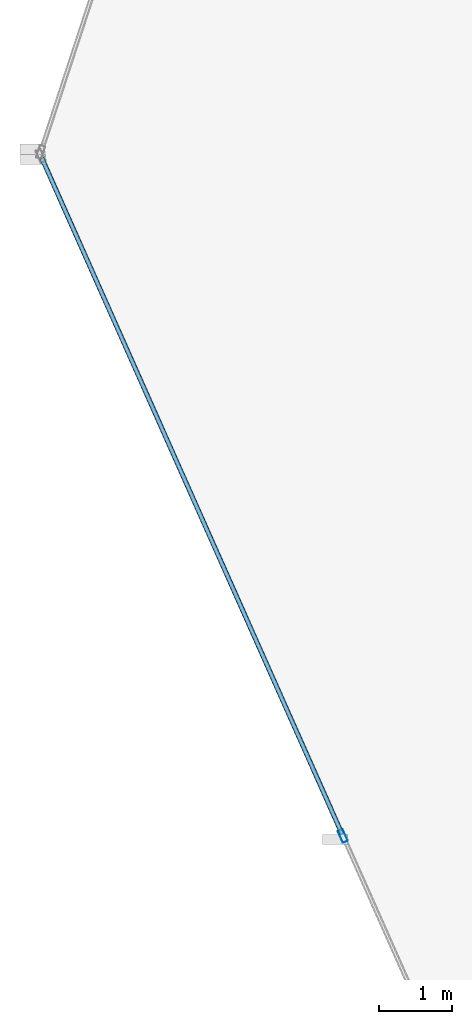
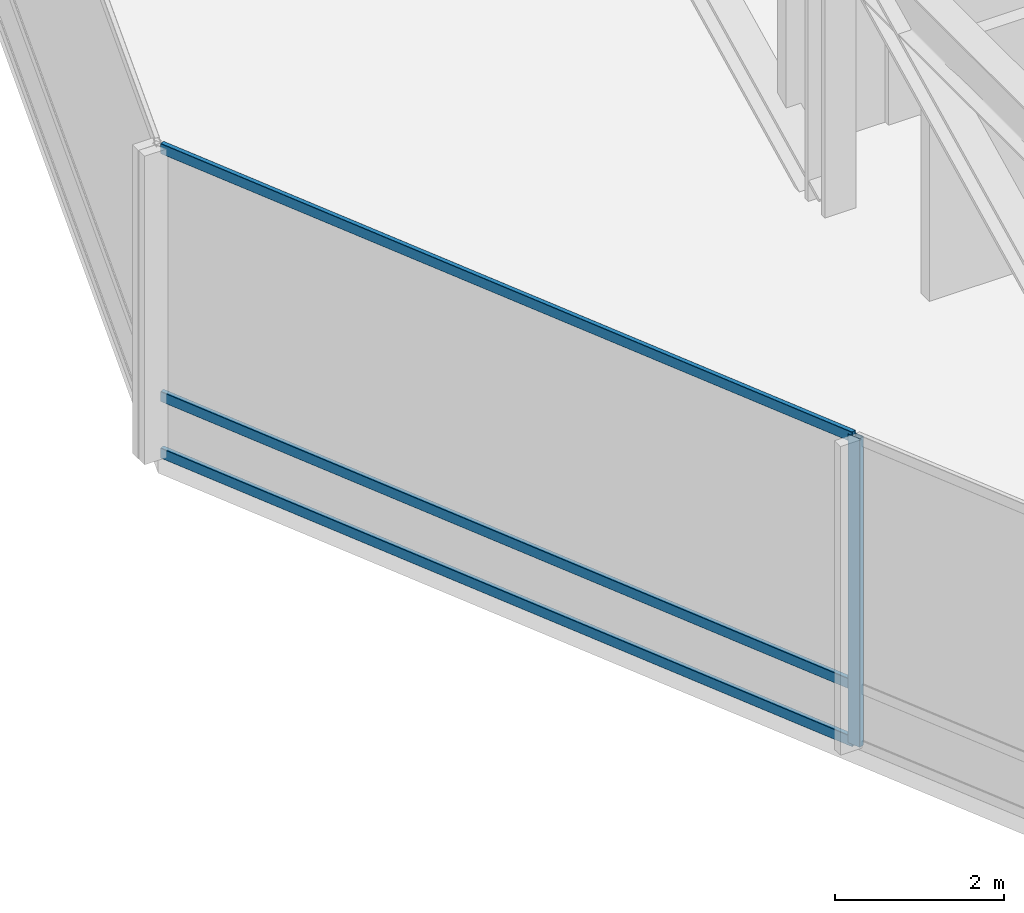
# One storey, part 5 of 42: 4 members, 1 element without a shape of its own.
"""IFC4 building model written with IfcOpenShell, lengths in metres."""

from ifc_helpers import new_model, si_unit, direction, frame, origin, origin_2d, place, context, subcontext, project, spatial, hollow_rectangle, extrude, material, layer, layer_set, material_profile, profile_set, type_object, element, aggregate, save


model = new_model("IFC4")

# Units and contexts
model_context = context("Model", 3, precision=1e-05, world=origin(), true_north=direction((0.0, 1.0)))
body_context = subcontext(model_context, "Body", "Model", "MODEL_VIEW")
ifc_project = project(units=[si_unit("LENGTHUNIT", "METRE"), si_unit("AREAUNIT", "SQUARE_METRE"), si_unit("VOLUMEUNIT", "CUBIC_METRE"), si_unit("PLANEANGLEUNIT", "RADIAN"), si_unit("MASSUNIT", "GRAM", prefix="KILO")], contexts=[model_context])

# Site, building, storey
site_placement = place(None, origin())
site = spatial("IfcSite", under=ifc_project, at=site_placement, CompositionType="ELEMENT")
building_placement = place(site_placement, origin())
building = spatial("IfcBuilding", under=site, at=building_placement, Name="Solvaryn Broadcast Tower", CompositionType="ELEMENT")
storey_placement = place(building_placement, frame((0.0, 0.0, 100.199951171875)))
storey = spatial("IfcBuildingStorey", under=building, at=storey_placement, Name="L24", CompositionType="ELEMENT", Elevation=100.199951171875)

# Curtain wall, members
ifc_material_1 = material(Name="Aluminium and Terracotta Unitised Curtain Wall", Category="masonry")
ifc_layer = layer(ifc_material_1, 0.199951171875)
ifc_layer_set = layer_set([ifc_layer], Name="CW-SYS2-LOWMID")
curtain_wall_type = type_object("IfcCurtainWallType", Name="CW-SYS2-LOWMID", PredefinedType="NOTDEFINED", material=ifc_layer_set)
curtain_wall_placement = place(storey_placement, origin())
curtain_wall = element("IfcCurtainWall", 1, at=curtain_wall_placement, inside=storey, type_object=curtain_wall_type, Name="L24 Curtain Wall DR2", PredefinedType="NOTDEFINED")
ifc_material_2 = material(Name="Anodised Aluminium 6063-T6", Category="aluminium")
ifc_material_profile_1 = material_profile(ifc_material_2, hollow_rectangle(XDim=0.074951171875, YDim=0.179931640625, WallThickness=0.00390625, InnerFilletRadius=0.00390625, OuterFilletRadius=0.008056640625, at=origin_2d()))
ifc_profile_set_1 = profile_set([ifc_material_profile_1], Name="Anodised Aluminium 6063-T6")
member_type_1 = type_object("IfcMemberType", Name="CW-MUL-180", PredefinedType="MULLION", material=ifc_profile_set_1)
member_1_placement = place(storey_placement, frame((3.69140625, 17.20361328125, 0.0), z_axis=(0.0, 0.0, 1.0), x_axis=(0.913918257271, 0.405898286554, 0.0)))
member_1 = element("IfcMember", 2, at=member_1_placement, type_object=member_type_1, Name="CWS2 mullion 2", PredefinedType="MULLION", context=body_context, shape_type="SweptSolid", body=[
    extrude(hollow_rectangle(XDim=0.074951171875, YDim=0.179931640625, WallThickness=0.00390625, InnerFilletRadius=0.00390625, OuterFilletRadius=0.008056640625, at=origin_2d()), origin(), (0.0, 0.0, 1.0), 4.469970703125),
])
ifc_material_3 = material(Name="Anodised Aluminium 6063-T6", Category="aluminium")
ifc_material_profile_2 = material_profile(ifc_material_3, hollow_rectangle(XDim=0.06494140625, YDim=0.14990234375, WallThickness=0.00390625, InnerFilletRadius=0.00390625, OuterFilletRadius=0.008056640625, at=origin_2d()))
ifc_profile_set_2 = profile_set([ifc_material_profile_2], Name="Anodised Aluminium 6063-T6")
member_type_2 = type_object("IfcMemberType", Name="CW-TRN-150", PredefinedType="USERDEFINED", material=ifc_profile_set_2)
member_2_placement = place(storey_placement, frame((-0.439697265625, 26.505126953125, 0.030029296875), z_axis=(0.40591523062, -0.913910731719, 0.0), x_axis=(0.913910731719, 0.40591523062, 0.0)))
member_2 = element("IfcMember", 3, at=member_2_placement, type_object=member_type_2, Name="CWS2 transom 1.1", ObjectType="TRANSOM", PredefinedType="USERDEFINED", context=body_context, shape_type="SweptSolid", body=[
    extrude(hollow_rectangle(XDim=0.06494140625, YDim=0.14990234375, WallThickness=0.00390625, InnerFilletRadius=0.00390625, OuterFilletRadius=0.008056640625, at=origin_2d()), origin(), (0.0, 0.0, 1.0), 10.147705078125),
])
member_3_placement = place(storey_placement, frame((-0.439697265625, 26.505126953125, 0.85009765625), z_axis=(0.40591523062, -0.913910731719, 0.0), x_axis=(0.913910731719, 0.40591523062, 0.0)))
member_3 = element("IfcMember", 4, at=member_3_placement, type_object=member_type_2, Name="CWS2 transom 1.2", ObjectType="TRANSOM", PredefinedType="USERDEFINED", context=body_context, shape_type="SweptSolid", body=[
    extrude(hollow_rectangle(XDim=0.06494140625, YDim=0.14990234375, WallThickness=0.00390625, InnerFilletRadius=0.00390625, OuterFilletRadius=0.008056640625, at=origin_2d()), origin(), (0.0, 0.0, 1.0), 10.147705078125),
])
member_4_placement = place(storey_placement, frame((-0.439697265625, 26.505126953125, 4.43994140625), z_axis=(0.40591523062, -0.913910731719, 0.0), x_axis=(0.913910731719, 0.40591523062, 0.0)))
member_4 = element("IfcMember", 5, at=member_4_placement, type_object=member_type_2, Name="CWS2 transom 1.3", ObjectType="TRANSOM", PredefinedType="USERDEFINED", context=body_context, shape_type="SweptSolid", body=[
    extrude(hollow_rectangle(XDim=0.06494140625, YDim=0.14990234375, WallThickness=0.00390625, InnerFilletRadius=0.00390625, OuterFilletRadius=0.008056640625, at=origin_2d()), origin(), (0.0, 0.0, 1.0), 10.147705078125),
])
aggregate(curtain_wall, [member_1, member_2, member_3, member_4])

save(model, "model.ifc")
